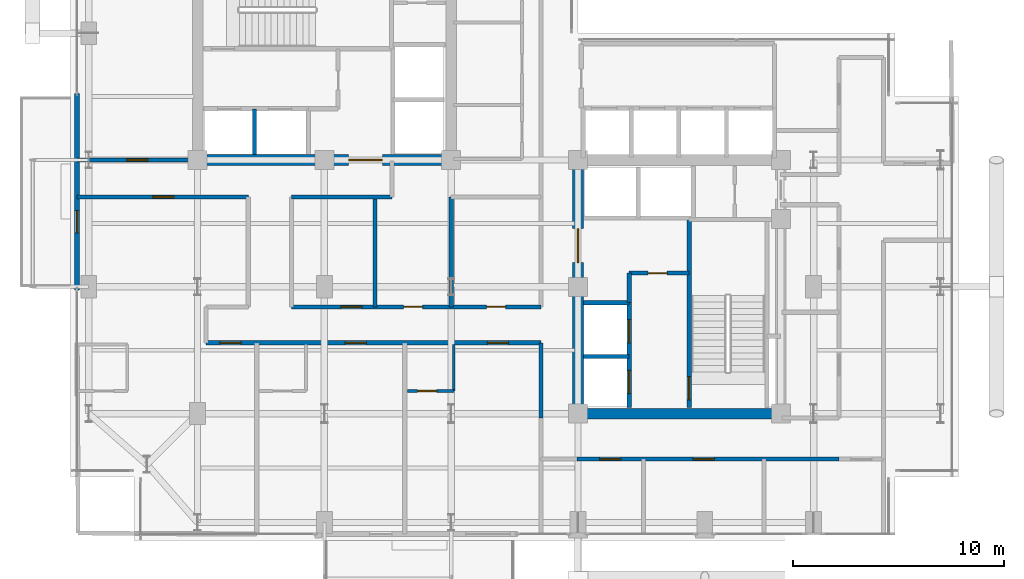
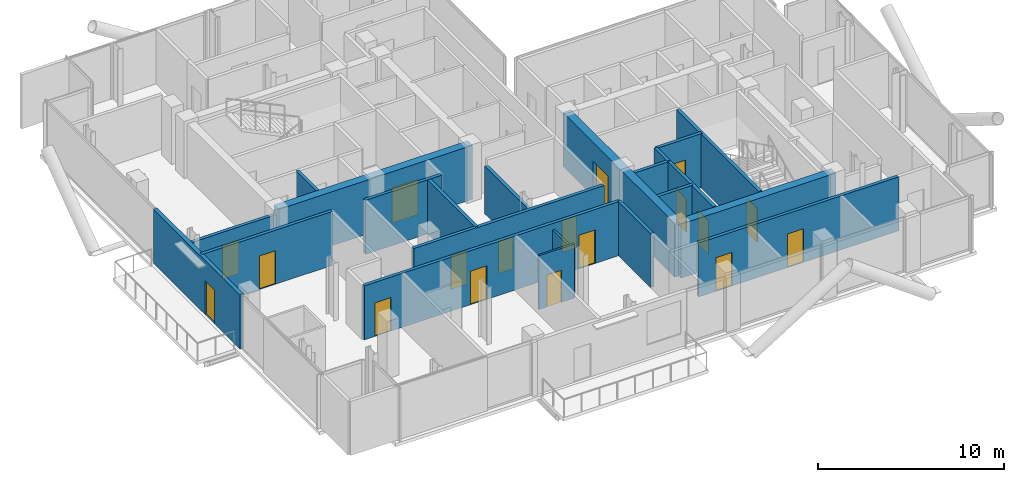
# One storey, part 17 of 22: 22 walls, 18 doors, 18 openings.
"""IFC4 building model written with IfcOpenShell, lengths in metres."""

from ifc_helpers import new_model, si_unit, direction, frame, frame_2d, origin, place, context, subcontext, project, spatial, rectangle, extrude, material, layer, layer_set, type_object, element, fill, save


model = new_model("IFC4")

# Units and contexts
model_context = context("Model", 3, precision=1e-05, world=origin(), true_north=direction((0.0, 1.0)))
body_context = subcontext(model_context, "Body", "Model", "MODEL_VIEW")
ifc_project = project(units=[si_unit("LENGTHUNIT", "METRE"), si_unit("AREAUNIT", "SQUARE_METRE"), si_unit("VOLUMEUNIT", "CUBIC_METRE"), si_unit("PLANEANGLEUNIT", "RADIAN"), si_unit("MASSUNIT", "GRAM", prefix="KILO"), si_unit("THERMODYNAMICTEMPERATUREUNIT", "KELVIN"), si_unit("POWERUNIT", "WATT")], contexts=[model_context])

# Site, building, storey
site_placement = place(None, origin())
site = spatial("IfcSite", under=ifc_project, at=site_placement, CompositionType="ELEMENT")
building_placement = place(site_placement, origin())
building = spatial("IfcBuilding", under=site, at=building_placement, Name="Svarakhadi Broadcast Tower", CompositionType="ELEMENT")
storey_placement = place(building_placement, frame((0.0, 0.0, 176.699951171875)))
storey = spatial("IfcBuildingStorey", under=building, at=storey_placement, Name="L43", CompositionType="ELEMENT", Elevation=176.699951171875)

# Wall, openings, doors
ifc_material_1 = material(Name="Double-Stud Acoustic Studio Partition STC-62", Category="gypsum")
ifc_layer_1 = layer(ifc_material_1, 0.199951171875)
ifc_layer_set_1 = layer_set([ifc_layer_1], Name="Double-Stud Acoustic Studio Partition STC-62")
wall_type_1 = type_object("IfcWallType", Name="Wall_Acoust_200", PredefinedType="PARTITIONING", material=ifc_layer_set_1)
wall_1_placement = place(storey_placement, frame((36.35009765625, 3.85009765625, 0.0), z_axis=(0.0, 0.0, 1.0), x_axis=(-1.0, 0.0, 0.0)))
wall_1 = element("IfcWall", 1, at=wall_1_placement, inside=storey, type_object=wall_type_1, Name="L43 Zone 2/3 Corridor Wall", PredefinedType="PARTITIONING", context=body_context, shape_type="SweptSolid", body=[
    extrude(rectangle(XDim=12.400146484375, YDim=0.199951171875, at=frame_2d((6.2001953125, 0.0))), origin(), (0.0, 0.0, 1.0), 3.5400390625),
])
opening_1_placement = place(wall_1_placement, frame((10.324951171875, 0.0, 0.0)))
opening_1 = element("IfcOpeningElement", 2, at=opening_1_placement, cuts=wall_1, Name="Opening D-08", PredefinedType="OPENING", context=body_context, shape_type="SweptSolid", body=[
    extrude(rectangle(XDim=1.0, YDim=2.199951171875, at=frame_2d((0.5, 1.10009765625))), frame((0.0, 0.10986328125, 0.0), z_axis=(0.0, -1.0, 0.0), x_axis=(1.0, 0.0, 0.0)), (0.0, 0.0, 1.0), 0.219970703125),
])
opening_2_placement = place(wall_1_placement, frame((5.89990234375, 0.0, 0.0)))
opening_2 = element("IfcOpeningElement", 3, at=opening_2_placement, cuts=wall_1, Name="Opening D-09", PredefinedType="OPENING", context=body_context, shape_type="SweptSolid", body=[
    extrude(rectangle(XDim=1.0, YDim=2.199951171875, at=frame_2d((0.5, 1.10009765625))), frame((0.0, 0.10986328125, 0.0), z_axis=(0.0, -1.0, 0.0), x_axis=(1.0, 0.0, 0.0)), (0.0, 0.0, 1.0), 0.219970703125),
])
ifc_material_2 = material(Name="Solid-Core Teak Veneer Acoustic Timber Leaf", Category="wood")
door_type_1 = type_object("IfcDoorType", Name="Door_Suite_D08", OperationType="SINGLE_SWING_LEFT", PredefinedType="DOOR", material=ifc_material_2)
door_1_placement = place(opening_1_placement, origin())
door_1 = element("IfcDoor", 4, at=door_1_placement, inside=storey, type_object=door_type_1, Name="L43 Hotel Business Centre Office Door", OperationType="SINGLE_SWING_LEFT", OverallHeight=2.199951171875, OverallWidth=1.0, PredefinedType="DOOR", context=body_context, shape_type="SweptSolid", body=[
    extrude(rectangle(XDim=1.0, YDim=2.199951171875, at=frame_2d((0.5, 1.10009765625))), frame((0.0, 0.02490234375, 0.0), z_axis=(0.0, -1.0, 0.0), x_axis=(1.0, 0.0, 0.0)), (0.0, 0.0, 1.0), 0.050048828125),
])
fill(opening_1, door_1)
door_type_2 = type_object("IfcDoorType", Name="Door_Suite_D09", OperationType="SINGLE_SWING_RIGHT", PredefinedType="DOOR", material=ifc_material_2)
door_2_placement = place(opening_2_placement, origin())
door_2 = element("IfcDoor", 5, at=door_2_placement, inside=storey, type_object=door_type_2, Name="L43 Private Dining Salon Door", OperationType="SINGLE_SWING_RIGHT", OverallHeight=2.199951171875, OverallWidth=1.0, PredefinedType="DOOR", context=body_context, shape_type="SweptSolid", body=[
    extrude(rectangle(XDim=1.0, YDim=2.199951171875, at=frame_2d((0.5, 1.10009765625))), frame((0.0, 0.02490234375, 0.0), z_axis=(0.0, -1.0, 0.0), x_axis=(1.0, 0.0, 0.0)), (0.0, 0.0, 1.0), 0.050048828125),
])
fill(opening_2, door_2)

# Wall
wall_2_placement = place(storey_placement, frame((22.25, 5.800048828125, 0.0), z_axis=(0.0, 0.0, 1.0), x_axis=(0.0, 1.0, 0.0)))
element("IfcWall", 6, at=wall_2_placement, inside=storey, type_object=wall_type_1, Name="L43 Zone 2/3 Corridor Wall", PredefinedType="PARTITIONING", context=body_context, shape_type="SweptSolid", body=[
    extrude(rectangle(XDim=3.550048828125, YDim=0.199951171875, at=frame_2d((1.77490234375, 0.0))), origin(), (0.0, 0.0, 1.0), 3.5400390625),
])

# Wall, openings, doors
wall_3_placement = place(storey_placement, frame((22.25, 9.35009765625, 0.0), z_axis=(0.0, 0.0, 1.0), x_axis=(-1.0, 0.0, 0.0)))
wall_3 = element("IfcWall", 7, at=wall_3_placement, inside=storey, type_object=wall_type_1, Name="L43 Zone 2/3 Corridor Wall", PredefinedType="PARTITIONING", context=body_context, shape_type="SweptSolid", body=[
    extrude(rectangle(XDim=15.85009765625, YDim=0.199951171875, at=frame_2d((7.925048828125, 0.0))), origin(), (0.0, 0.0, 1.0), 3.5400390625),
])
opening_3_placement = place(wall_3_placement, frame((14.18994140625, 0.0, 0.0)))
opening_3 = element("IfcOpeningElement", 8, at=opening_3_placement, cuts=wall_3, Name="Opening D-08", PredefinedType="OPENING", context=body_context, shape_type="SweptSolid", body=[
    extrude(rectangle(XDim=1.0, YDim=2.199951171875, at=frame_2d((0.5, 1.10009765625))), frame((0.0, 0.10986328125, 0.0), z_axis=(0.0, -1.0, 0.0), x_axis=(1.0, 0.0, 0.0)), (0.0, 0.0, 1.0), 0.219970703125),
])
opening_4_placement = place(wall_3_placement, frame((8.264892578125, 0.0, 0.0)))
opening_4 = element("IfcOpeningElement", 9, at=opening_4_placement, cuts=wall_3, Name="Opening D-09", PredefinedType="OPENING", context=body_context, shape_type="SweptSolid", body=[
    extrude(rectangle(XDim=1.0, YDim=2.199951171875, at=frame_2d((0.5, 1.10009765625))), frame((0.0, 0.10986328125, 0.0), z_axis=(0.0, -1.0, 0.0), x_axis=(1.0, 0.0, 0.0)), (0.0, 0.0, 1.0), 0.219970703125),
])
opening_5_placement = place(wall_3_placement, frame((1.5400390625, 0.0, 0.0)))
opening_5 = element("IfcOpeningElement", 10, at=opening_5_placement, cuts=wall_3, Name="Opening D-08", PredefinedType="OPENING", context=body_context, shape_type="SweptSolid", body=[
    extrude(rectangle(XDim=1.0, YDim=2.199951171875, at=frame_2d((0.5, 1.10009765625))), frame((0.0, 0.10986328125, 0.0), z_axis=(0.0, -1.0, 0.0), x_axis=(1.0, 0.0, 0.0)), (0.0, 0.0, 1.0), 0.219970703125),
])
door_3_placement = place(opening_3_placement, origin())
door_3 = element("IfcDoor", 11, at=door_3_placement, inside=storey, type_object=door_type_1, Name="L43 Deluxe Sea-View Guest Room 01 Entrance Door", OperationType="SINGLE_SWING_LEFT", OverallHeight=2.199951171875, OverallWidth=1.0, PredefinedType="DOOR", context=body_context, shape_type="SweptSolid", body=[
    extrude(rectangle(XDim=1.0, YDim=2.199951171875, at=frame_2d((0.5, 1.10009765625))), frame((0.0, 0.02490234375, 0.0), z_axis=(0.0, -1.0, 0.0), x_axis=(1.0, 0.0, 0.0)), (0.0, 0.0, 1.0), 0.050048828125),
])
fill(opening_3, door_3)
door_4_placement = place(opening_5_placement, origin())
door_4 = element("IfcDoor", 12, at=door_4_placement, inside=storey, type_object=door_type_1, Name="L43 Deluxe Sea-View Guest Room 03 Entrance Door", OperationType="SINGLE_SWING_LEFT", OverallHeight=2.199951171875, OverallWidth=1.0, PredefinedType="DOOR", context=body_context, shape_type="SweptSolid", body=[
    extrude(rectangle(XDim=1.0, YDim=2.199951171875, at=frame_2d((0.5, 1.10009765625))), frame((0.0, 0.02490234375, 0.0), z_axis=(0.0, -1.0, 0.0), x_axis=(1.0, 0.0, 0.0)), (0.0, 0.0, 1.0), 0.050048828125),
])
fill(opening_5, door_4)
door_5_placement = place(opening_4_placement, origin())
door_5 = element("IfcDoor", 13, at=door_5_placement, inside=storey, type_object=door_type_2, Name="L43 Deluxe Sea-View Guest Room 02 Entrance Door", OperationType="SINGLE_SWING_RIGHT", OverallHeight=2.199951171875, OverallWidth=1.0, PredefinedType="DOOR", context=body_context, shape_type="SweptSolid", body=[
    extrude(rectangle(XDim=1.0, YDim=2.199951171875, at=frame_2d((0.5, 1.10009765625))), frame((0.0, 0.02490234375, 0.0), z_axis=(0.0, -1.0, 0.0), x_axis=(1.0, 0.0, 0.0)), (0.0, 0.0, 1.0), 0.050048828125),
])
fill(opening_4, door_5)

# Wall, opening, door
wall_4_placement = place(storey_placement, frame((8.39990234375, 16.25, 0.0), z_axis=(0.0, 0.0, 1.0), x_axis=(-1.0, 0.0, 0.0)))
wall_4 = element("IfcWall", 14, at=wall_4_placement, inside=storey, type_object=wall_type_1, Name="L43 Zone 2/3 Corridor Wall", PredefinedType="PARTITIONING", context=body_context, shape_type="SweptSolid", body=[
    extrude(rectangle(XDim=8.099853515625, YDim=0.199951171875, at=frame_2d((4.0498046875, 0.0))), origin(), (0.0, 0.0, 1.0), 3.5400390625),
])
opening_6_placement = place(wall_4_placement, frame((3.52490234375, 0.0, 0.0)))
opening_6 = element("IfcOpeningElement", 15, at=opening_6_placement, cuts=wall_4, Name="Opening D-09", PredefinedType="OPENING", context=body_context, shape_type="SweptSolid", body=[
    extrude(rectangle(XDim=1.0, YDim=2.199951171875, at=frame_2d((0.5, 1.10009765625))), frame((0.0, 0.10986328125, 0.0), z_axis=(0.0, -1.0, 0.0), x_axis=(1.0, 0.0, 0.0)), (0.0, 0.0, 1.0), 0.219970703125),
])
door_6_placement = place(opening_6_placement, origin())
door_6 = element("IfcDoor", 16, at=door_6_placement, inside=storey, type_object=door_type_2, Name="L43 Arabian Sea Club Lounge Door", OperationType="SINGLE_SWING_RIGHT", OverallHeight=2.199951171875, OverallWidth=1.0, PredefinedType="DOOR", context=body_context, shape_type="SweptSolid", body=[
    extrude(rectangle(XDim=1.0, YDim=2.199951171875, at=frame_2d((0.5, 1.10009765625))), frame((0.0, 0.02490234375, 0.0), z_axis=(0.0, -1.0, 0.0), x_axis=(1.0, 0.0, 0.0)), (0.0, 0.0, 1.0), 0.050048828125),
])
fill(opening_6, door_6)

# Wall
wall_5_placement = place(storey_placement, frame((15.199951171875, 16.25, 0.0), z_axis=(0.0, 0.0, 1.0), x_axis=(-1.0, 0.0, 0.0)))
element("IfcWall", 17, at=wall_5_placement, inside=storey, type_object=wall_type_1, Name="L43 Zone 2/3 Corridor Wall", PredefinedType="PARTITIONING", context=body_context, shape_type="SweptSolid", body=[
    extrude(rectangle(XDim=4.75, YDim=0.199951171875, at=frame_2d((2.375, 0.0))), origin(), (0.0, 0.0, 1.0), 3.5400390625),
])

# Wall, openings, doors
wall_6_placement = place(storey_placement, frame((10.449951171875, 11.050048828125, 0.0), z_axis=(0.0, 0.0, 1.0), x_axis=(1.0, 0.0, 0.0)))
wall_6 = element("IfcWall", 18, at=wall_6_placement, inside=storey, type_object=wall_type_1, Name="L43 Zone 2/3 Corridor Wall", PredefinedType="PARTITIONING", context=body_context, shape_type="SweptSolid", body=[
    extrude(rectangle(XDim=11.800048828125, YDim=0.199951171875, at=frame_2d((5.89990234375, 0.0))), origin(), (0.0, 0.0, 1.0), 3.5400390625),
])
opening_7_placement = place(wall_6_placement, frame((2.330078125, 0.0, 0.0)))
opening_7 = element("IfcOpeningElement", 19, at=opening_7_placement, cuts=wall_6, Name="Opening D-09", PredefinedType="OPENING", context=body_context, shape_type="SweptSolid", body=[
    extrude(rectangle(XDim=1.0, YDim=2.199951171875, at=frame_2d((0.5, 1.10009765625))), frame((0.0, 0.10986328125, 0.0), z_axis=(0.0, -1.0, 0.0), x_axis=(1.0, 0.0, 0.0)), (0.0, 0.0, 1.0), 0.219970703125),
])
opening_8_placement = place(wall_6_placement, frame((5.300048828125, 0.0, 0.0)))
opening_8 = element("IfcOpeningElement", 20, at=opening_8_placement, cuts=wall_6, Name="Opening D-13", PredefinedType="OPENING", context=body_context, shape_type="SweptSolid", body=[
    extrude(rectangle(XDim=0.89990234375, YDim=2.10009765625, at=frame_2d((0.449951171875, 1.050048828125))), frame((0.0, 0.10986328125, 0.0), z_axis=(0.0, -1.0, 0.0), x_axis=(1.0, 0.0, 0.0)), (0.0, 0.0, 1.0), 0.219970703125),
])
opening_9_placement = place(wall_6_placement, frame((9.22509765625, 0.0, 0.0)))
opening_9 = element("IfcOpeningElement", 21, at=opening_9_placement, cuts=wall_6, Name="Opening D-12", PredefinedType="OPENING", context=body_context, shape_type="SweptSolid", body=[
    extrude(rectangle(XDim=0.89990234375, YDim=2.10009765625, at=frame_2d((0.449951171875, 1.050048828125))), frame((0.0, 0.10986328125, 0.0), z_axis=(0.0, -1.0, 0.0), x_axis=(1.0, 0.0, 0.0)), (0.0, 0.0, 1.0), 0.219970703125),
])
door_type_3 = type_object("IfcDoorType", Name="Door_Closet_D13", OperationType="SINGLE_SWING_RIGHT", PredefinedType="DOOR", material=ifc_material_2)
door_7_placement = place(opening_8_placement, origin())
door_7 = element("IfcDoor", 22, at=door_7_placement, inside=storey, type_object=door_type_3, Name="L43 Tea Bar Pantry Door", OperationType="SINGLE_SWING_RIGHT", OverallHeight=2.10009765625, OverallWidth=0.89990234375, PredefinedType="DOOR", context=body_context, shape_type="SweptSolid", body=[
    extrude(rectangle(XDim=0.89990234375, YDim=2.10009765625, at=frame_2d((0.449951171875, 1.050048828125))), frame((0.0, 0.02490234375, 0.0), z_axis=(0.0, -1.0, 0.0), x_axis=(1.0, 0.0, 0.0)), (0.0, 0.0, 1.0), 0.050048828125),
])
fill(opening_8, door_7)
door_8_placement = place(opening_7_placement, origin())
door_8 = element("IfcDoor", 23, at=door_8_placement, inside=storey, type_object=door_type_2, Name="L43 Acoustic Huddle Booth Door", OperationType="SINGLE_SWING_RIGHT", OverallHeight=2.199951171875, OverallWidth=1.0, PredefinedType="DOOR", context=body_context, shape_type="SweptSolid", body=[
    extrude(rectangle(XDim=1.0, YDim=2.199951171875, at=frame_2d((0.5, 1.10009765625))), frame((0.0, 0.02490234375, 0.0), z_axis=(0.0, -1.0, 0.0), x_axis=(1.0, 0.0, 0.0)), (0.0, 0.0, 1.0), 0.050048828125),
])
fill(opening_7, door_8)
door_type_4 = type_object("IfcDoorType", Name="Door_WC_D01", OperationType="SINGLE_SWING_LEFT", PredefinedType="DOOR", material=ifc_material_2)
door_9_placement = place(opening_9_placement, origin())
door_9 = element("IfcDoor", 24, at=door_9_placement, inside=storey, type_object=door_type_4, Name="L43 Accessible Floor Washroom WC Door", OperationType="SINGLE_SWING_LEFT", OverallHeight=2.10009765625, OverallWidth=0.89990234375, PredefinedType="DOOR", context=body_context, shape_type="SweptSolid", body=[
    extrude(rectangle(XDim=0.89990234375, YDim=2.10009765625, at=frame_2d((0.449951171875, 1.050048828125))), frame((0.0, 0.02490234375, 0.0), z_axis=(0.0, -1.0, 0.0), x_axis=(1.0, 0.0, 0.0)), (0.0, 0.0, 1.0), 0.050048828125),
])
fill(opening_9, door_9)

# Walls
wall_7_placement = place(storey_placement, frame((14.39990234375, 11.050048828125, 0.0), z_axis=(0.0, 0.0, 1.0), x_axis=(0.0, 1.0, 0.0)))
element("IfcWall", 25, at=wall_7_placement, inside=storey, type_object=wall_type_1, Name="L43 Acoustic Huddle Booth Wall", PredefinedType="PARTITIONING", context=body_context, shape_type="SweptSolid", body=[
    extrude(rectangle(XDim=5.199951171875, YDim=0.199951171875, at=frame_2d((2.60009765625, 0.0))), origin(), (0.0, 0.0, 1.0), 3.5400390625),
])
wall_8_placement = place(storey_placement, frame((18.0, 11.050048828125, 0.0), z_axis=(0.0, 0.0, 1.0), x_axis=(0.0, 1.0, 0.0)))
element("IfcWall", 26, at=wall_8_placement, inside=storey, type_object=wall_type_1, Name="L43 Tea Bar Pantry Wall", PredefinedType="PARTITIONING", context=body_context, shape_type="SweptSolid", body=[
    extrude(rectangle(XDim=5.199951171875, YDim=0.199951171875, at=frame_2d((2.60009765625, 0.0))), origin(), (0.0, 0.0, 1.0), 3.132080078125),
])

# Wall, opening, door
wall_9_placement = place(storey_placement, frame((0.300048828125, 18.0, 0.0), z_axis=(0.0, 0.0, 1.0), x_axis=(1.0, 0.0, 0.0)))
wall_9 = element("IfcWall", 27, at=wall_9_placement, inside=storey, type_object=wall_type_1, Name="L43 Sea-View Panorama Club Salon Wall", PredefinedType="PARTITIONING", context=body_context, shape_type="SweptSolid", body=[
    extrude(rectangle(XDim=5.64990234375, YDim=0.199951171875, at=frame_2d((2.824951171875, 0.0))), origin(), (0.0, 0.0, 1.0), 3.132080078125),
])
opening_10_placement = place(wall_9_placement, frame((2.35009765625, 0.0, 0.0)))
opening_10 = element("IfcOpeningElement", 28, at=opening_10_placement, cuts=wall_9, Name="Opening D-09", PredefinedType="OPENING", context=body_context, shape_type="SweptSolid", body=[
    extrude(rectangle(XDim=1.0, YDim=2.199951171875, at=frame_2d((0.5, 1.10009765625))), frame((0.0, 0.10986328125, 0.0), z_axis=(0.0, -1.0, 0.0), x_axis=(1.0, 0.0, 0.0)), (0.0, 0.0, 1.0), 0.219970703125),
])
door_10_placement = place(opening_10_placement, origin())
door_10 = element("IfcDoor", 29, at=door_10_placement, inside=storey, type_object=door_type_2, Name="L43 Sea-View Panorama Club Salon Door", OperationType="SINGLE_SWING_RIGHT", OverallHeight=2.199951171875, OverallWidth=1.0, PredefinedType="DOOR", context=body_context, shape_type="SweptSolid", body=[
    extrude(rectangle(XDim=1.0, YDim=2.199951171875, at=frame_2d((0.5, 1.10009765625))), frame((0.0, 0.02490234375, 0.0), z_axis=(0.0, -1.0, 0.0), x_axis=(1.0, 0.0, 0.0)), (0.0, 0.0, 1.0), 0.050048828125),
])
fill(opening_10, door_10)

ifc_material_3 = material(Name="Concrete C40/50 (IS 456 M50)", Category="concrete")
ifc_layer_2 = layer(ifc_material_3, 0.239990234375)
ifc_layer_set_2 = layer_set([ifc_layer_2], Name="Concrete C40/50 (IS 456 M50)")
wall_type_2 = type_object("IfcWallType", Name="Wall_Ext_240", PredefinedType="SOLIDWALL", material=ifc_layer_set_2)
wall_10_placement = place(storey_placement, frame((0.300048828125, 11.85498046875, 0.0), z_axis=(0.0, 0.0, 1.0), x_axis=(0.0, 1.0, 0.0)))
wall_10 = element("IfcWall", 30, at=wall_10_placement, inside=storey, type_object=wall_type_2, Name="L43 West Tree Balcony Spandrel Wall", PredefinedType="SOLIDWALL", context=body_context, shape_type="SweptSolid", body=[
    extrude(rectangle(XDim=9.2900390625, YDim=0.239990234375, at=frame_2d((4.64501953125, 0.0))), origin(), (0.0, 0.0, 1.0), 3.5400390625),
])
opening_11_placement = place(wall_10_placement, frame((2.699951171875, 0.0, 0.0)))
opening_11 = element("IfcOpeningElement", 31, at=opening_11_placement, cuts=wall_10, Name="Opening ED-06", PredefinedType="OPENING", context=body_context, shape_type="SweptSolid", body=[
    extrude(rectangle(XDim=1.050048828125, YDim=2.199951171875, at=frame_2d((0.52490234375, 1.10009765625))), frame((0.0, 0.1298828125, 0.0), z_axis=(0.0, -1.0, 0.0), x_axis=(1.0, 0.0, 0.0)), (0.0, 0.0, 1.0), 0.260009765625),
])
ifc_material_4 = material(Name="Anodised Bronze Aluminium AA 6063-T6", Category="aluminium")
door_type_5 = type_object("IfcDoorType", Name="Door_Ext_ED06", OperationType="SINGLE_SWING_RIGHT", PredefinedType="DOOR", material=ifc_material_4)
door_11_placement = place(opening_11_placement, origin())
door_11 = element("IfcDoor", 32, at=door_11_placement, inside=storey, type_object=door_type_5, Name="L43 West Tree Balcony Door", OperationType="SINGLE_SWING_RIGHT", OverallHeight=2.199951171875, OverallWidth=1.050048828125, PredefinedType="DOOR", context=body_context, shape_type="SweptSolid", body=[
    extrude(rectangle(XDim=1.050048828125, YDim=2.199951171875, at=frame_2d((0.52490234375, 1.10009765625))), frame((0.0, 0.02490234375, 0.0), z_axis=(0.0, -1.0, 0.0), x_axis=(1.0, 0.0, 0.0)), (0.0, 0.0, 1.0), 0.050048828125),
])
fill(opening_11, door_11)

ifc_material_5 = material(Name="Fire-Rated Moisture-Resistant Gypsum Board Partition", Category="gypsum")
ifc_layer_3 = layer(ifc_material_5, 0.125)
ifc_layer_set_3 = layer_set([ifc_layer_3], Name="Fire-Rated Moisture-Resistant Gypsum Board Partition")
wall_type_3 = type_object("IfcWallType", Name="Wall_Part_125", PredefinedType="PARTITIONING", material=ifc_layer_set_3)
wall_11_placement = place(storey_placement, frame((15.929931640625, 7.070068359375, 0.0), z_axis=(0.0, 0.0, 1.0), x_axis=(1.0, 0.0, 0.0)))
wall_11 = element("IfcWall", 33, at=wall_11_placement, inside=storey, type_object=wall_type_3, Name="L43 Deluxe Sea-View Guest Room 03 En-Suite Wall", PredefinedType="PARTITIONING", context=body_context, shape_type="SweptSolid", body=[
    extrude(rectangle(XDim=2.199951171875, YDim=0.125, at=frame_2d((1.10009765625, 0.0))), origin(), (0.0, 0.0, 1.0), 3.5400390625),
])
opening_12_placement = place(wall_11_placement, frame((0.47998046875, 0.0, 0.0)))
opening_12 = element("IfcOpeningElement", 34, at=opening_12_placement, cuts=wall_11, Name="Opening D-12", PredefinedType="OPENING", context=body_context, shape_type="SweptSolid", body=[
    extrude(rectangle(XDim=0.89990234375, YDim=2.10009765625, at=frame_2d((0.449951171875, 1.050048828125))), frame((0.0, 0.072509765625, 0.0), z_axis=(0.0, -1.0, 0.0), x_axis=(1.0, 0.0, 0.0)), (0.0, 0.0, 1.0), 0.14501953125),
])
door_12_placement = place(opening_12_placement, origin())
door_12 = element("IfcDoor", 35, at=door_12_placement, inside=storey, type_object=door_type_4, Name="L43 Deluxe Sea-View Guest Room 03 En-Suite Door", OperationType="SINGLE_SWING_LEFT", OverallHeight=2.10009765625, OverallWidth=0.89990234375, PredefinedType="DOOR", context=body_context, shape_type="SweptSolid", body=[
    extrude(rectangle(XDim=0.89990234375, YDim=2.10009765625, at=frame_2d((0.449951171875, 1.050048828125))), frame((0.0, 0.02490234375, 0.0), z_axis=(0.0, -1.0, 0.0), x_axis=(1.0, 0.0, 0.0)), (0.0, 0.0, 1.0), 0.050048828125),
])
fill(opening_12, door_12)

# Wall
wall_12_placement = place(storey_placement, frame((18.1298828125, 7.070068359375, 0.0), z_axis=(0.0, 0.0, 1.0), x_axis=(0.0, 1.0, 0.0)))
element("IfcWall", 36, at=wall_12_placement, inside=storey, type_object=wall_type_3, Name="L43 Deluxe Sea-View Guest Room 03 En-Suite Wall", PredefinedType="PARTITIONING", context=body_context, shape_type="SweptSolid", body=[
    extrude(rectangle(XDim=2.199951171875, YDim=0.125, at=frame_2d((1.10009765625, 0.0))), origin(), (0.0, 0.0, 1.0), 3.132080078125),
])

# Wall, opening, door
ifc_material_6 = material(Name="Concrete C50/60 (IS 456 M60)", Category="concrete")
ifc_layer_4 = layer(ifc_material_6, 0.199951171875)
ifc_layer_set_4 = layer_set([ifc_layer_4], Name="Concrete C50/60 (IS 456 M60)")
wall_type_4 = type_object("IfcWallType", Name="Wall_Shear_200", PredefinedType="SHEAR", material=ifc_layer_set_4)
wall_13_placement = place(storey_placement, frame((29.260009765625, 6.300048828125, 0.0), z_axis=(0.0, 0.0, 1.0), x_axis=(0.0, 1.0, 0.0)))
wall_13 = element("IfcWall", 37, at=wall_13_placement, inside=storey, type_object=wall_type_4, Name="L43 Stair ST-02 West RC Shaft Wall", PredefinedType="SHEAR", context=body_context, shape_type="SweptSolid", body=[
    extrude(rectangle(XDim=8.8798828125, YDim=0.199951171875, at=frame_2d((4.43994140625, 0.0))), origin(), (0.0, 0.0, 1.0), 3.5400390625),
])
opening_13_placement = place(wall_13_placement, frame((0.35009765625, 0.0, 0.0)))
opening_13 = element("IfcOpeningElement", 38, at=opening_13_placement, cuts=wall_13, Name="Opening D-02", PredefinedType="OPENING", context=body_context, shape_type="SweptSolid", body=[
    extrude(rectangle(XDim=1.10009765625, YDim=2.199951171875, at=frame_2d((0.550048828125, 1.10009765625))), frame((0.0, 0.10986328125, 0.0), z_axis=(0.0, -1.0, 0.0), x_axis=(1.0, 0.0, 0.0)), (0.0, 0.0, 1.0), 0.219970703125),
])
ifc_material_7 = material(Name="Galvanised Powder-Coated Fire-Rated Steel Leaf", Category="steel")
door_type_6 = type_object("IfcDoorType", Name="Door_Stair_D02", OperationType="SINGLE_SWING_RIGHT", PredefinedType="DOOR", material=ifc_material_7)
door_13_placement = place(opening_13_placement, origin())
door_13 = element("IfcDoor", 39, at=door_13_placement, inside=storey, type_object=door_type_6, Name="L43 Protected Exit Stair ST-02 Fire Door", OperationType="SINGLE_SWING_RIGHT", OverallHeight=2.199951171875, OverallWidth=1.10009765625, PredefinedType="DOOR", context=body_context, shape_type="SweptSolid", body=[
    extrude(rectangle(XDim=1.10009765625, YDim=2.199951171875, at=frame_2d((0.550048828125, 1.10009765625))), frame((0.0, 0.02490234375, 0.0), z_axis=(0.0, -1.0, 0.0), x_axis=(1.0, 0.0, 0.0)), (0.0, 0.0, 1.0), 0.050048828125),
])
fill(opening_13, door_13)

# Wall
wall_14_placement = place(storey_placement, frame((8.699951171875, 18.25, 0.0), z_axis=(0.0, 0.0, 1.0), x_axis=(0.0, 1.0, 0.0)))
element("IfcWall", 40, at=wall_14_placement, inside=storey, type_object=wall_type_4, Name="L43 Firefighting Lift LF-01/02 Divider Wall", PredefinedType="SHEAR", context=body_context, shape_type="SweptSolid", body=[
    extrude(rectangle(XDim=2.169921875, YDim=0.199951171875, at=frame_2d((1.0849609375, 0.0))), origin(), (0.0, 0.0, 1.0), 3.5400390625),
])

# Wall, openings, doors
wall_15_placement = place(storey_placement, frame((26.419921875, 6.300048828125, 0.0), z_axis=(0.0, 0.0, 1.0), x_axis=(0.0, 1.0, 0.0)))
wall_15 = element("IfcWall", 41, at=wall_15_placement, inside=storey, type_object=wall_type_4, Name="L43 Firefighting Lift LF-03/04 Shaft Wall", PredefinedType="SHEAR", context=body_context, shape_type="SweptSolid", body=[
    extrude(rectangle(XDim=4.949951171875, YDim=0.199951171875, at=frame_2d((2.47509765625, 0.0))), origin(), (0.0, 0.0, 1.0), 3.5400390625),
])
opening_14_placement = place(wall_15_placement, frame((0.64990234375, 0.0, 0.0)))
opening_14 = element("IfcOpeningElement", 42, at=opening_14_placement, cuts=wall_15, Name="Opening LD-01", PredefinedType="OPENING", context=body_context, shape_type="SweptSolid", body=[
    extrude(rectangle(XDim=1.10009765625, YDim=2.199951171875, at=frame_2d((0.550048828125, 1.10009765625))), frame((0.0, 0.10986328125, 0.0), z_axis=(0.0, -1.0, 0.0), x_axis=(1.0, 0.0, 0.0)), (0.0, 0.0, 1.0), 0.219970703125),
])
opening_15_placement = place(wall_15_placement, frame((3.050048828125, 0.0, 0.0)))
opening_15 = element("IfcOpeningElement", 43, at=opening_15_placement, cuts=wall_15, Name="Opening LD-01", PredefinedType="OPENING", context=body_context, shape_type="SweptSolid", body=[
    extrude(rectangle(XDim=1.10009765625, YDim=2.199951171875, at=frame_2d((0.550048828125, 1.10009765625))), frame((0.0, 0.10986328125, 0.0), z_axis=(0.0, -1.0, 0.0), x_axis=(1.0, 0.0, 0.0)), (0.0, 0.0, 1.0), 0.219970703125),
])
door_type_7 = type_object("IfcDoorType", Name="Door_Lift_LD01", OperationType="SLIDING_TO_LEFT", PredefinedType="DOOR", material=ifc_material_7)
door_14_placement = place(opening_14_placement, origin())
door_14 = element("IfcDoor", 44, at=door_14_placement, inside=storey, type_object=door_type_7, Name="L43 Firefighting Lift LF-03 Landing Door", OperationType="SLIDING_TO_LEFT", OverallHeight=2.199951171875, OverallWidth=1.10009765625, PredefinedType="DOOR", context=body_context, shape_type="SweptSolid", body=[
    extrude(rectangle(XDim=1.10009765625, YDim=2.199951171875, at=frame_2d((0.550048828125, 1.10009765625))), frame((0.0, 0.02490234375, 0.0), z_axis=(0.0, -1.0, 0.0), x_axis=(1.0, 0.0, 0.0)), (0.0, 0.0, 1.0), 0.050048828125),
])
fill(opening_14, door_14)
door_15_placement = place(opening_15_placement, origin())
door_15 = element("IfcDoor", 45, at=door_15_placement, inside=storey, type_object=door_type_7, Name="L43 Firefighting Lift LF-04 Landing Door", OperationType="SLIDING_TO_LEFT", OverallHeight=2.199951171875, OverallWidth=1.10009765625, PredefinedType="DOOR", context=body_context, shape_type="SweptSolid", body=[
    extrude(rectangle(XDim=1.10009765625, YDim=2.199951171875, at=frame_2d((0.550048828125, 1.10009765625))), frame((0.0, 0.02490234375, 0.0), z_axis=(0.0, -1.0, 0.0), x_axis=(1.0, 0.0, 0.0)), (0.0, 0.0, 1.0), 0.050048828125),
])
fill(opening_15, door_15)

# Walls
for number, where, z_axis, x_axis, name in (
    (46, (24.25, 8.699951171875, 0.0), (0.0, 0.0, 1.0), (1.0, 0.0, 0.0), "L43 Firefighting Lift LF-03/04 Divider Wall"),
    (47, (24.25, 11.25, 0.0), (0.0, 0.0, 1.0), (1.0, 0.0, 0.0), "L43 Firefighting Lift LF-04 North Wall"),
):
    element("IfcWall", number, at=place(storey_placement, frame(where, z_axis=z_axis, x_axis=x_axis)), inside=storey, type_object=wall_type_4, Name=name, PredefinedType="SHEAR", context=body_context, shape_type="SweptSolid", body=[
        extrude(rectangle(XDim=2.169921875, YDim=0.199951171875, at=frame_2d((1.0849609375, 0.0))), origin(), (0.0, 0.0, 1.0), 3.5400390625),
    ])
wall_16_placement = place(storey_placement, frame((26.419921875, 11.25, 0.0), z_axis=(0.0, 0.0, 1.0), x_axis=(0.0, 1.0, 0.0)))
element("IfcWall", 48, at=wall_16_placement, inside=storey, type_object=wall_type_4, Name="L43 East Firefighting Lobby West Wall", PredefinedType="SHEAR", context=body_context, shape_type="SweptSolid", body=[
    extrude(rectangle(XDim=1.39990234375, YDim=0.199951171875, at=frame_2d((0.699951171875, 0.0))), origin(), (0.0, 0.0, 1.0), 3.5400390625),
])

# Wall, opening, door
wall_17_placement = place(storey_placement, frame((26.419921875, 12.64990234375, 0.0), z_axis=(0.0, 0.0, 1.0), x_axis=(1.0, 0.0, 0.0)))
wall_17 = element("IfcWall", 49, at=wall_17_placement, inside=storey, type_object=wall_type_4, Name="L43 East Firefighting Lobby North Wall", PredefinedType="SHEAR", context=body_context, shape_type="SweptSolid", body=[
    extrude(rectangle(XDim=2.840087890625, YDim=0.199951171875, at=frame_2d((1.419921875, 0.0))), origin(), (0.0, 0.0, 1.0), 3.5400390625),
])
opening_16_placement = place(wall_17_placement, frame((0.89990234375, 0.0, 0.0)))
opening_16 = element("IfcOpeningElement", 50, at=opening_16_placement, cuts=wall_17, Name="Opening D-04", PredefinedType="OPENING", context=body_context, shape_type="SweptSolid", body=[
    extrude(rectangle(XDim=0.89990234375, YDim=2.14990234375, at=frame_2d((0.449951171875, 1.074951171875))), frame((0.0, 0.10986328125, 0.0), z_axis=(0.0, -1.0, 0.0), x_axis=(1.0, 0.0, 0.0)), (0.0, 0.0, 1.0), 0.219970703125),
])
door_type_8 = type_object("IfcDoorType", Name="Door_Fire_D04", OperationType="SINGLE_SWING_RIGHT", PredefinedType="DOOR", material=ifc_material_7)
door_16_placement = place(opening_16_placement, origin())
door_16 = element("IfcDoor", 51, at=door_16_placement, inside=storey, type_object=door_type_8, Name="L43 East Firefighting Lobby Fire Door", OperationType="SINGLE_SWING_RIGHT", OverallHeight=2.14990234375, OverallWidth=0.89990234375, PredefinedType="DOOR", context=body_context, shape_type="SweptSolid", body=[
    extrude(rectangle(XDim=0.89990234375, YDim=2.14990234375, at=frame_2d((0.449951171875, 1.074951171875))), frame((0.0, 0.02490234375, 0.0), z_axis=(0.0, -1.0, 0.0), x_axis=(1.0, 0.0, 0.0)), (0.0, 0.0, 1.0), 0.050048828125),
])
fill(opening_16, door_16)

ifc_layer_5 = layer(ifc_material_6, 0.5)
ifc_layer_set_5 = layer_set([ifc_layer_5], Name="Concrete C50/60 (IS 456 M60)")
wall_type_5 = type_object("IfcWallType", Name="Wall_Shear_500", PredefinedType="SHEAR", material=ifc_layer_set_5)
wall_18_placement = place(storey_placement, frame((6.0, 18.0, 0.0), z_axis=(0.0, 0.0, 1.0), x_axis=(1.0, 0.0, 0.0)))
wall_18 = element("IfcWall", 52, at=wall_18_placement, inside=storey, type_object=wall_type_5, Name="L43 West Core South Shear Wall", PredefinedType="SHEAR", context=body_context, shape_type="SweptSolid", body=[
    extrude(rectangle(XDim=12.0, YDim=0.5, at=frame_2d((6.0, 0.0))), origin(), (0.0, 0.0, 1.0), 3.5400390625),
])
opening_17_placement = place(wall_18_placement, frame((7.14990234375, 0.0, 0.0)))
opening_17 = element("IfcOpeningElement", 53, at=opening_17_placement, cuts=wall_18, Name="Opening D-05", PredefinedType="OPENING", context=body_context, shape_type="SweptSolid", body=[
    extrude(rectangle(XDim=1.60009765625, YDim=2.300048828125, at=frame_2d((0.800048828125, 1.14990234375))), frame((0.0, 0.260009765625, 0.0), z_axis=(0.0, -1.0, 0.0), x_axis=(1.0, 0.0, 0.0)), (0.0, 0.0, 1.0), 0.52001953125),
])
door_type_9 = type_object("IfcDoorType", Name="Door_Lobby_D05", OperationType="DOUBLE_DOOR_SLIDING", PredefinedType="DOOR", material=ifc_material_4)
door_17_placement = place(opening_17_placement, origin())
door_17 = element("IfcDoor", 54, at=door_17_placement, inside=storey, type_object=door_type_9, Name="L43 West Core Passenger Lift Lobby Entrance Door", OperationType="DOUBLE_DOOR_SLIDING", OverallHeight=2.300048828125, OverallWidth=1.60009765625, PredefinedType="DOOR", context=body_context, shape_type="SweptSolid", body=[
    extrude(rectangle(XDim=1.60009765625, YDim=2.300048828125, at=frame_2d((0.800048828125, 1.14990234375))), frame((0.0, 0.02490234375, 0.0), z_axis=(0.0, -1.0, 0.0), x_axis=(1.0, 0.0, 0.0)), (0.0, 0.0, 1.0), 0.050048828125),
])
fill(opening_17, door_17)

# Wall
wall_19_placement = place(storey_placement, frame((24.0, 6.0, 0.0), z_axis=(0.0, 0.0, 1.0), x_axis=(1.0, 0.0, 0.0)))
element("IfcWall", 55, at=wall_19_placement, inside=storey, type_object=wall_type_5, Name="L43 East Core South Shear Wall", PredefinedType="SHEAR", context=body_context, shape_type="SweptSolid", body=[
    extrude(rectangle(XDim=9.60009765625, YDim=0.5, at=frame_2d((4.800048828125, 0.0))), origin(), (0.0, 0.0, 1.0), 3.5400390625),
])

# Wall, opening, door
wall_20_placement = place(storey_placement, frame((24.0, 6.0, 0.0), z_axis=(0.0, 0.0, 1.0), x_axis=(0.0, 1.0, 0.0)))
wall_20 = element("IfcWall", 56, at=wall_20_placement, inside=storey, type_object=wall_type_5, Name="L43 East Core West Shear Wall", PredefinedType="SHEAR", context=body_context, shape_type="SweptSolid", body=[
    extrude(rectangle(XDim=12.0, YDim=0.5, at=frame_2d((6.0, 0.0))), origin(), (0.0, 0.0, 1.0), 3.5400390625),
])
opening_18_placement = place(wall_20_placement, frame((7.14990234375, 0.0, 0.0)))
opening_18 = element("IfcOpeningElement", 57, at=opening_18_placement, cuts=wall_20, Name="Opening D-05", PredefinedType="OPENING", context=body_context, shape_type="SweptSolid", body=[
    extrude(rectangle(XDim=1.60009765625, YDim=2.300048828125, at=frame_2d((0.800048828125, 1.14990234375))), frame((0.0, 0.260009765625, 0.0), z_axis=(0.0, -1.0, 0.0), x_axis=(1.0, 0.0, 0.0)), (0.0, 0.0, 1.0), 0.52001953125),
])
door_18_placement = place(opening_18_placement, origin())
door_18 = element("IfcDoor", 58, at=door_18_placement, inside=storey, type_object=door_type_9, Name="L43 East Core Passenger Lift Lobby Entrance Door", OperationType="DOUBLE_DOOR_SLIDING", OverallHeight=2.300048828125, OverallWidth=1.60009765625, PredefinedType="DOOR", context=body_context, shape_type="SweptSolid", body=[
    extrude(rectangle(XDim=1.60009765625, YDim=2.300048828125, at=frame_2d((0.800048828125, 1.14990234375))), frame((0.0, 0.02490234375, 0.0), z_axis=(0.0, -1.0, 0.0), x_axis=(1.0, 0.0, 0.0)), (0.0, 0.0, 1.0), 0.050048828125),
])
fill(opening_18, door_18)

save(model, "model.ifc")
